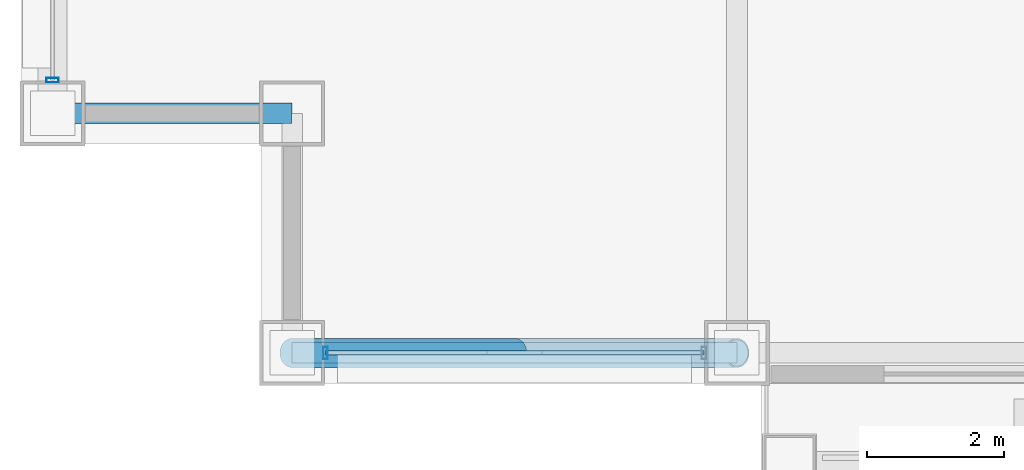
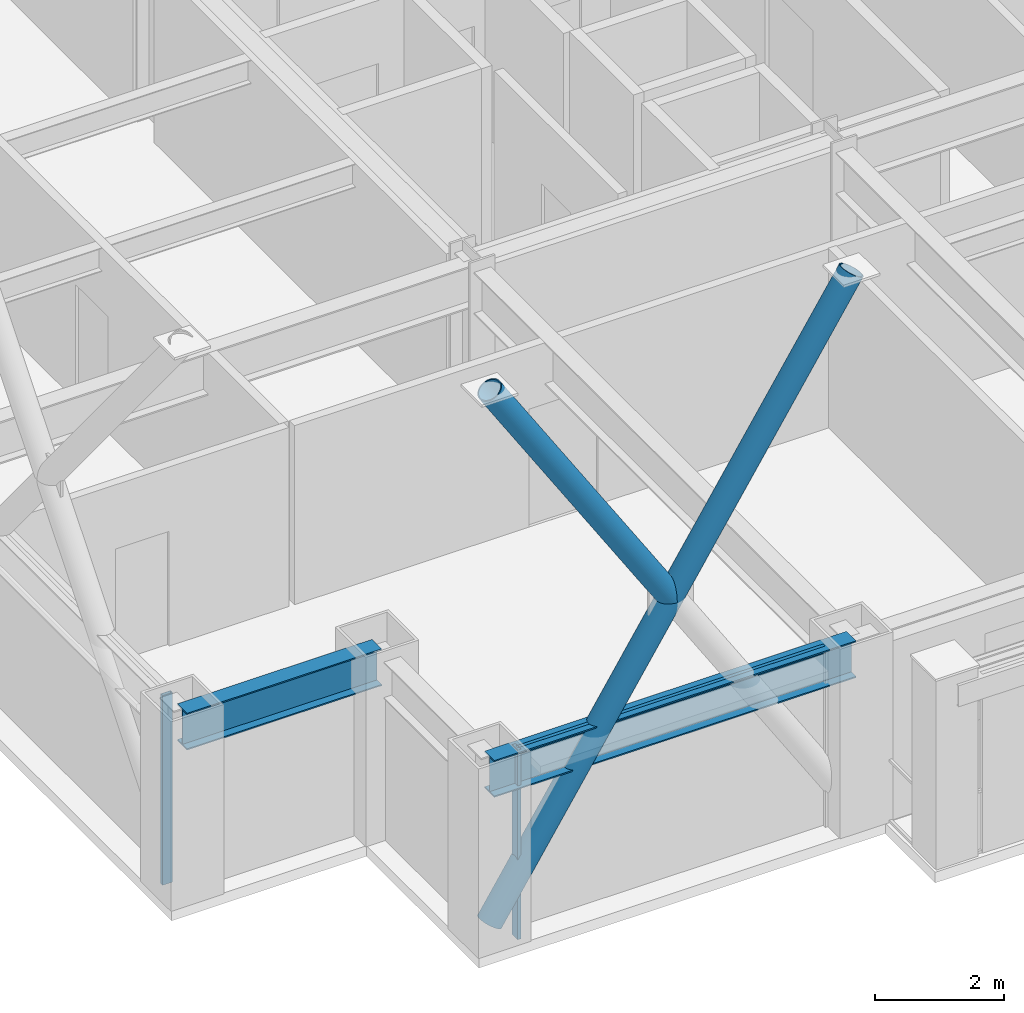
# One storey, part 2 of 34: 5 members, 2 beams, 2 elements without a shape of their own.
"""IFC4 building model written with IfcOpenShell, lengths in metres."""

from ifc_helpers import new_model, si_unit, direction, frame, origin, origin_2d, place, context, subcontext, project, spatial, hollow_rectangle, hollow_circle, i_section, extrude, material, layer, layer_set, material_profile, profile_set, type_object, element, aggregate, save


model = new_model("IFC4")

# Units and contexts
model_context = context("Model", 3, precision=1e-05, world=origin(), true_north=direction((0.0, 1.0)))
body_context = subcontext(model_context, "Body", "Model", "MODEL_VIEW")
ifc_project = project(units=[si_unit("LENGTHUNIT", "METRE"), si_unit("AREAUNIT", "SQUARE_METRE"), si_unit("VOLUMEUNIT", "CUBIC_METRE"), si_unit("PLANEANGLEUNIT", "RADIAN"), si_unit("MASSUNIT", "GRAM", prefix="KILO")], contexts=[model_context])

# Site, building, storey
site_placement = place(None, origin())
site = spatial("IfcSite", under=ifc_project, at=site_placement, CompositionType="ELEMENT")
building_placement = place(site_placement, origin())
building = spatial("IfcBuilding", under=site, at=building_placement, Name="Brelmoor Portico Tower", CompositionType="ELEMENT")
storey_placement = place(building_placement, frame((0.0, 0.0, 45.60009765625)))
storey = spatial("IfcBuildingStorey", under=building, at=storey_placement, Name="L11", CompositionType="ELEMENT", Elevation=45.60009765625)

# Beams
ifc_material_1 = material(Name="Steel Q355B", Category="steel")
ifc_material_profile_1 = material_profile(ifc_material_1, i_section(OverallWidth=0.300048828125, OverallDepth=0.699951171875, WebThickness=0.012939453125, FlangeThickness=0.02392578125, at=origin_2d()), Name="HN 700x300x13x24")
ifc_profile_set_1 = profile_set([ifc_material_profile_1], Name="Steel Q355B")
beam_type = type_object("IfcBeamType", Name="BM-SP-700", PredefinedType="SPANDREL", material=ifc_profile_set_1)
beam_1_placement = place(storey_placement, frame((-21.050048828125, -21.550048828125, 3.0498046875), z_axis=(1.0, 0.0, 0.0), x_axis=(0.0, 1.0, 0.0)))
element("IfcBeam", 1, at=beam_1_placement, inside=storey, type_object=beam_type, Name="L11 Perimeter Spandrel Beam SP-01", PredefinedType="SPANDREL", context=body_context, shape_type="SweptSolid", body=[
    extrude(i_section(OverallWidth=0.300048828125, OverallDepth=0.699951171875, WebThickness=0.012939453125, FlangeThickness=0.02392578125, at=origin_2d()), origin(), (0.0, 0.0, 1.0), 6.5),
])
beam_2_placement = place(storey_placement, frame((-24.550048828125, -18.050048828125, 3.0498046875), z_axis=(1.0, 0.0, 0.0), x_axis=(0.0, 1.0, 0.0)))
element("IfcBeam", 2, at=beam_2_placement, inside=storey, type_object=beam_type, Name="L11 Perimeter Spandrel Beam SP-06", PredefinedType="SPANDREL", context=body_context, shape_type="SweptSolid", body=[
    extrude(i_section(OverallWidth=0.300048828125, OverallDepth=0.699951171875, WebThickness=0.012939453125, FlangeThickness=0.02392578125, at=origin_2d()), origin(), (0.0, 0.0, 1.0), 3.5),
])

# Members
ifc_material_profile_2 = material_profile(ifc_material_1, hollow_circle(Radius=0.212890625, WallThickness=0.02001953125, at=origin_2d()), Name="CHS 426x20")
ifc_profile_set_2 = profile_set([ifc_material_profile_2], Name="Steel Q355B")
member_type_1 = type_object("IfcMemberType", Name="MB-BELT-DIAG1", PredefinedType="BRACE", material=ifc_profile_set_2)
member_1_placement = place(storey_placement, frame((-21.050048828125, -21.550048828125, 0.25), z_axis=(0.541183873462, 0.0, 0.840904284152), x_axis=(0.0, 1.0, 0.0)))
element("IfcMember", 3, at=member_1_placement, inside=storey, type_object=member_type_1, Name="L11 Continuous Mega-X Brace 017A", PredefinedType="BRACE", context=body_context, shape_type="SweptSolid", body=[
    extrude(hollow_circle(Radius=0.212890625, WallThickness=0.02001953125, at=origin_2d()), origin(), (0.0, 0.0, 1.0), 12.0107421875),
])
member_2_placement = place(storey_placement, frame((-17.800048828125, -21.550048828125, 5.2998046875), z_axis=(-0.541174623135, 0.0, 0.840910237347), x_axis=(0.0, -1.0, 0.0)))
element("IfcMember", 4, at=member_2_placement, inside=storey, type_object=member_type_1, Name="L11 Split Mega-X Brace 017B2", PredefinedType="BRACE", context=body_context, shape_type="SweptSolid", body=[
    extrude(hollow_circle(Radius=0.212890625, WallThickness=0.02001953125, at=origin_2d()), origin(), (0.0, 0.0, 1.0), 6.00537109375),
])

# Curtain wall, member
ifc_material_2 = material(Name="Anodised Aluminium Alloy 6063-T6", Category="aluminium")
ifc_layer = layer(ifc_material_2, 0.179931640625)
ifc_layer_set = layer_set([ifc_layer], Name="Anodised Aluminium Alloy 6063-T6")
curtain_wall_type = type_object("IfcCurtainWallType", Name="CW-TOWER-Z1-XB", PredefinedType="NOTDEFINED", material=ifc_layer_set)
curtain_wall_1_placement = place(storey_placement, origin())
curtain_wall_1 = element("IfcCurtainWall", 5, at=curtain_wall_1_placement, inside=storey, type_object=curtain_wall_type, Name="L11 Curtain Wall CW-L11-1L", PredefinedType="NOTDEFINED")
ifc_material_profile_3 = material_profile(ifc_material_2, hollow_rectangle(XDim=0.06494140625, YDim=0.179931640625, WallThickness=0.00390625, at=origin_2d()), Name="ALU MULLION 65x180")
ifc_profile_set_3 = profile_set([ifc_material_profile_3], Name="Anodised Aluminium Alloy 6063-T6")
member_type_2 = type_object("IfcMemberType", Name="MB-CW-MULL-180", PredefinedType="MULLION", material=ifc_profile_set_3)
member_3_placement = place(storey_placement, frame((-20.56494140625, -21.550048828125, -0.2001953125), z_axis=(0.0, 0.0, 1.0), x_axis=(1.0, 0.0, 0.0)))
member_3 = element("IfcMember", 6, at=member_3_placement, type_object=member_type_2, Name="CW-L11-1L Mullion 00", PredefinedType="MULLION", context=body_context, shape_type="SweptSolid", body=[
    extrude(hollow_rectangle(XDim=0.06494140625, YDim=0.179931640625, WallThickness=0.00390625, at=origin_2d()), origin(), (0.0, 0.0, 1.0), 3.60009765625),
])

curtain_wall_2_placement = place(storey_placement, origin())
curtain_wall_2 = element("IfcCurtainWall", 7, at=curtain_wall_2_placement, inside=storey, type_object=curtain_wall_type, Name="L11 Curtain Wall CW-L11-03-1", PredefinedType="NOTDEFINED")
member_4_placement = place(storey_placement, frame((-24.550048828125, -17.56494140625, -0.2001953125), z_axis=(0.0, 0.0, 1.0), x_axis=(0.0, 1.0, 0.0)))
member_4 = element("IfcMember", 8, at=member_4_placement, type_object=member_type_2, Name="CW-L11-03-1 Mullion 00", PredefinedType="MULLION", context=body_context, shape_type="SweptSolid", body=[
    extrude(hollow_rectangle(XDim=0.06494140625, YDim=0.179931640625, WallThickness=0.00390625, at=origin_2d()), origin(), (0.0, 0.0, 1.0), 3.60009765625),
])
aggregate(curtain_wall_2, [member_4])

# Member
ifc_material_profile_4 = material_profile(ifc_material_2, hollow_rectangle(XDim=0.06494140625, YDim=0.139892578125, WallThickness=0.00390625, at=origin_2d()), Name="ALU TRANSOM 65x140")
ifc_profile_set_4 = profile_set([ifc_material_profile_4], Name="Anodised Aluminium Alloy 6063-T6")
member_type_3 = type_object("IfcMemberType", Name="MB-CW-TRAN-140", PredefinedType="USERDEFINED", material=ifc_profile_set_4)
member_5_placement = place(storey_placement, frame((-20.56494140625, -21.550048828125, 3.329833984375), z_axis=(1.0, 0.0, 0.0), x_axis=(0.0, 1.0, 0.0)))
member_5 = element("IfcMember", 9, at=member_5_placement, type_object=member_type_3, Name="CW-L11-1L Transom 1-00", ObjectType="TRANSOM", PredefinedType="USERDEFINED", context=body_context, shape_type="SweptSolid", body=[
    extrude(hollow_rectangle(XDim=0.06494140625, YDim=0.139892578125, WallThickness=0.00390625, at=origin_2d()), origin(), (0.0, 0.0, 1.0), 5.530029296875),
])

aggregate(curtain_wall_1, [member_3, member_5])

save(model, "model.ifc")
